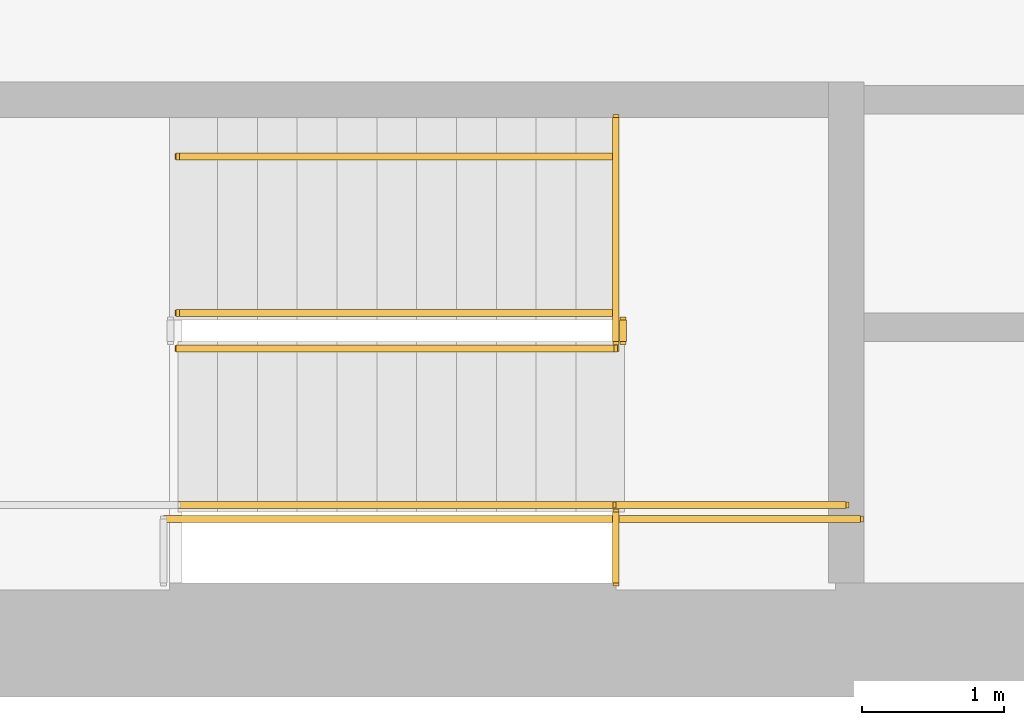
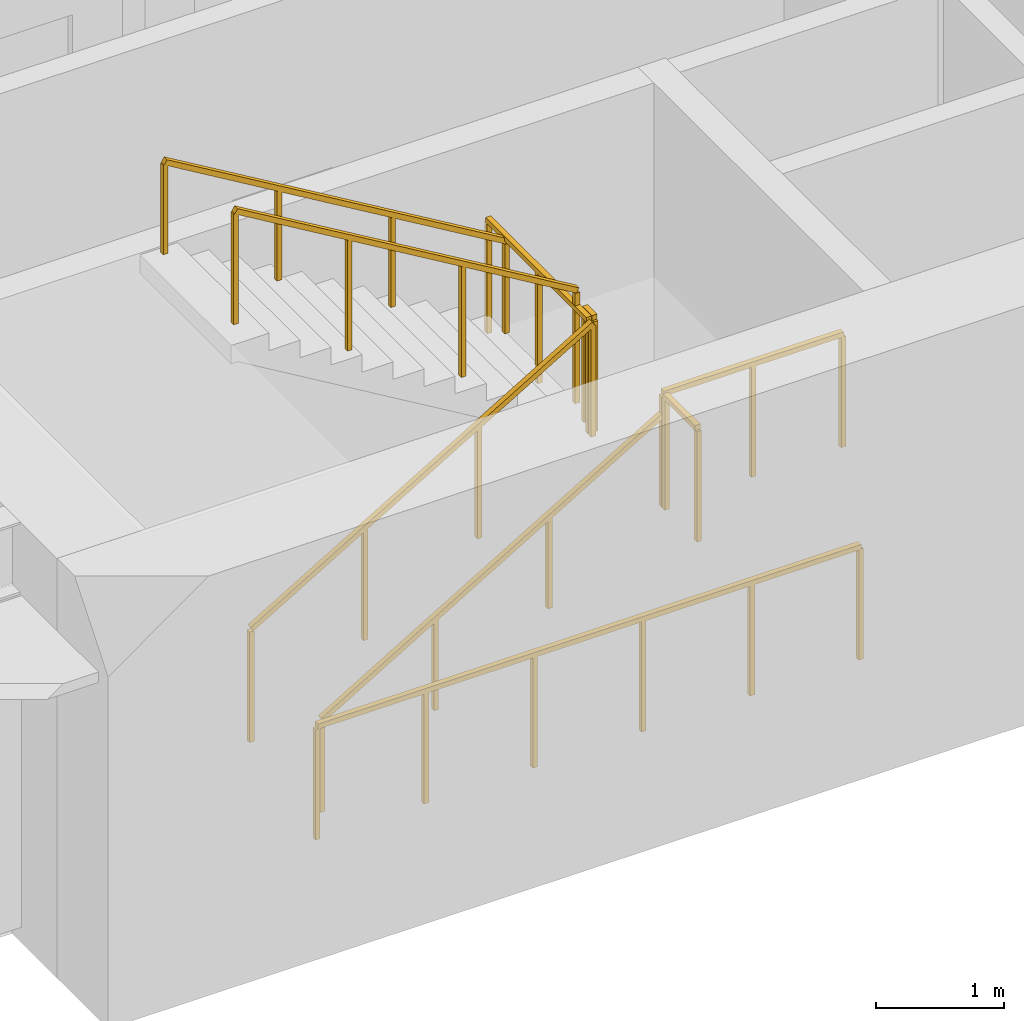
# One storey, part 10 of 12: 9 railings.
"""IFC4 building model written with IfcOpenShell, lengths in metres."""

from ifc_helpers import new_model, si_unit, direction, frame, origin, origin_2d, place, context, subcontext, project, spatial, rectangle, extrude, material, type_object, element, save


model = new_model("IFC4")

# Units and contexts
model_context = context("Model", 3, precision=1e-05, world=origin(), true_north=direction((0.0, 1.0)))
body_context = subcontext(model_context, "Body", "Model", "MODEL_VIEW")
ifc_project = project(units=[si_unit("LENGTHUNIT", "METRE"), si_unit("AREAUNIT", "SQUARE_METRE"), si_unit("VOLUMEUNIT", "CUBIC_METRE"), si_unit("PLANEANGLEUNIT", "RADIAN"), si_unit("MASSUNIT", "GRAM", prefix="KILO")], contexts=[model_context])

# Site, building, storey
site_placement = place(None, origin())
site = spatial("IfcSite", under=ifc_project, at=site_placement, CompositionType="ELEMENT")
building_placement = place(site_placement, origin())
building = spatial("IfcBuilding", under=site, at=building_placement, Name="Sennacour Bend Tower", CompositionType="ELEMENT")
storey_placement = place(building_placement, frame((0.0, 0.0, 281.0)))
storey = spatial("IfcBuildingStorey", under=building, at=storey_placement, Name="L65", CompositionType="ELEMENT", Elevation=281.0)

# Railings
ifc_material = material(Name="Stainless steel", Category="steel")
railing_type_1 = type_object("IfcRailingType", Name="RL-GUARD-1100", PredefinedType="GUARDRAIL", material=ifc_material)
railing_1_placement = place(storey_placement, frame((56.699951171875, 2.449951171875, 0.166748046875)))
element("IfcRailing", 1, at=railing_1_placement, inside=storey, type_object=railing_type_1, Name="L65 SA1 stair guard 1", PredefinedType="GUARDRAIL", context=body_context, shape_type="SweptSolid", body=[
    extrude(rectangle(XDim=0.048095703125, YDim=0.048095703125, at=origin_2d()), frame((0.0, 0.0, 1.076171875), z_axis=(0.859308565015, 0.0, 0.511457515432), x_axis=(0.0, 1.0, 0.0)), (0.0, 0.0, 1.0), 3.58447265625),
    extrude(rectangle(XDim=0.0419921875, YDim=0.0419921875, at=origin_2d()), origin(), (0.0, 0.0, 1.0), 1.052001953125),
    extrude(rectangle(XDim=0.0419921875, YDim=0.0419921875, at=origin_2d()), frame((1.026611328125, 0.0, 0.611083984375)), (0.0, 0.0, 1.0), 1.052001953125),
    extrude(rectangle(XDim=0.0419921875, YDim=0.0419921875, at=origin_2d()), frame((2.053466796875, 0.0, 1.22216796875)), (0.0, 0.0, 1.0), 1.052001953125),
    extrude(rectangle(XDim=0.0419921875, YDim=0.0419921875, at=origin_2d()), frame((3.080078125, 0.0, 1.833251953125)), (0.0, 0.0, 1.0), 1.052001953125),
])
railing_2_placement = place(storey_placement, frame((59.830078125, 2.5, 2.0)))
element("IfcRailing", 2, at=railing_2_placement, inside=storey, type_object=railing_type_1, Name="L65 SA1 stair guard 2", PredefinedType="GUARDRAIL", context=body_context, shape_type="SweptSolid", body=[
    extrude(rectangle(XDim=0.048095703125, YDim=0.048095703125, at=origin_2d()), frame((0.0, 0.0, 1.076171875), z_axis=(0.0, 1.0, 0.0), x_axis=(-1.0, 0.0, 0.0)), (0.0, 0.0, 1.0), 0.14990234375),
    extrude(rectangle(XDim=0.0419921875, YDim=0.0419921875, at=origin_2d()), origin(), (0.0, 0.0, 1.0), 1.052001953125),
    extrude(rectangle(XDim=0.0419921875, YDim=0.0419921875, at=origin_2d()), frame((0.0, 0.14990234375, 0.0)), (0.0, 0.0, 1.0), 1.052001953125),
])
railing_3_placement = place(storey_placement, frame((59.780029296875, 1.35009765625, 2.0)))
element("IfcRailing", 3, at=railing_3_placement, inside=storey, type_object=railing_type_1, Name="L65 SA1 stair guard 3", PredefinedType="GUARDRAIL", context=body_context, shape_type="SweptSolid", body=[
    extrude(rectangle(XDim=0.048095703125, YDim=0.048095703125, at=origin_2d()), frame((0.0, 0.0, 1.076171875), z_axis=(1.0, 0.0, 0.0), x_axis=(0.0, 1.0, 0.0)), (0.0, 0.0, 1.0), 1.619873046875),
    extrude(rectangle(XDim=0.0419921875, YDim=0.0419921875, at=origin_2d()), origin(), (0.0, 0.0, 1.0), 1.052001953125),
    extrude(rectangle(XDim=0.0419921875, YDim=0.0419921875, at=origin_2d()), frame((0.81005859375, 0.0, 0.0)), (0.0, 0.0, 1.0), 1.052001953125),
    extrude(rectangle(XDim=0.0419921875, YDim=0.0419921875, at=origin_2d()), frame((1.619873046875, 0.0, 0.0)), (0.0, 0.0, 1.0), 1.052001953125),
])
railing_4_placement = place(storey_placement, frame((59.780029296875, 2.699951171875, 2.166748046875)))
element("IfcRailing", 4, at=railing_4_placement, inside=storey, type_object=railing_type_1, Name="L65 SA1 stair guard 4", PredefinedType="GUARDRAIL", context=body_context, shape_type="SweptSolid", body=[
    extrude(rectangle(XDim=0.048095703125, YDim=0.048095703125, at=origin_2d()), frame((0.0, 0.0, 1.076171875), z_axis=(-0.859308565015, 0.0, 0.511457515432), x_axis=(0.0, -1.0, 0.0)), (0.0, 0.0, 1.0), 3.58447265625),
    extrude(rectangle(XDim=0.0419921875, YDim=0.0419921875, at=origin_2d()), origin(), (0.0, 0.0, 1.0), 1.052001953125),
    extrude(rectangle(XDim=0.0419921875, YDim=0.0419921875, at=origin_2d()), frame((-1.026611328125, 0.0, 0.611083984375)), (0.0, 0.0, 1.0), 1.052001953125),
    extrude(rectangle(XDim=0.0419921875, YDim=0.0419921875, at=origin_2d()), frame((-2.053466796875, 0.0, 1.22216796875)), (0.0, 0.0, 1.0), 1.052001953125),
    extrude(rectangle(XDim=0.0419921875, YDim=0.0419921875, at=origin_2d()), frame((-3.080078125, 0.0, 1.833251953125)), (0.0, 0.0, 1.0), 1.052001953125),
])
railing_5_placement = place(storey_placement, frame((56.60009765625, 1.25, 0.0)))
element("IfcRailing", 5, at=railing_5_placement, inside=storey, type_object=railing_type_1, Name="L65 SA1 stair guard 8", PredefinedType="GUARDRAIL", context=body_context, shape_type="SweptSolid", body=[
    extrude(rectangle(XDim=0.048095703125, YDim=0.048095703125, at=origin_2d()), frame((0.0, 0.0, 1.076171875), z_axis=(1.0, 0.0, 0.0), x_axis=(0.0, 1.0, 0.0)), (0.0, 0.0, 1.0), 4.89990234375),
    extrude(rectangle(XDim=0.0419921875, YDim=0.0419921875, at=origin_2d()), origin(), (0.0, 0.0, 1.0), 1.052001953125),
    extrude(rectangle(XDim=0.0419921875, YDim=0.0419921875, at=origin_2d()), frame((0.97998046875, 0.0, 0.0)), (0.0, 0.0, 1.0), 1.052001953125),
    extrude(rectangle(XDim=0.0419921875, YDim=0.0419921875, at=origin_2d()), frame((1.9599609375, 0.0, 0.0)), (0.0, 0.0, 1.0), 1.052001953125),
    extrude(rectangle(XDim=0.0419921875, YDim=0.0419921875, at=origin_2d()), frame((2.93994140625, 0.0, 0.0)), (0.0, 0.0, 1.0), 1.052001953125),
    extrude(rectangle(XDim=0.0419921875, YDim=0.0419921875, at=origin_2d()), frame((3.919921875, 0.0, 0.0)), (0.0, 0.0, 1.0), 1.052001953125),
    extrude(rectangle(XDim=0.0419921875, YDim=0.0419921875, at=origin_2d()), frame((4.89990234375, 0.0, 0.0)), (0.0, 0.0, 1.0), 1.052001953125),
])
railing_6_placement = place(storey_placement, frame((59.780029296875, 0.800048828125, 2.0)))
element("IfcRailing", 6, at=railing_6_placement, inside=storey, type_object=railing_type_1, Name="L65 SA1 landing edge guard 100", PredefinedType="GUARDRAIL", context=body_context, shape_type="SweptSolid", body=[
    extrude(rectangle(XDim=0.048095703125, YDim=0.048095703125, at=origin_2d()), frame((0.0, 0.0, 1.076171875), z_axis=(0.0, 1.0, 0.0), x_axis=(-1.0, 0.0, 0.0)), (0.0, 0.0, 1.0), 0.5),
    extrude(rectangle(XDim=0.0419921875, YDim=0.0419921875, at=origin_2d()), origin(), (0.0, 0.0, 1.0), 1.052001953125),
    extrude(rectangle(XDim=0.0419921875, YDim=0.0419921875, at=origin_2d()), frame((0.0, 0.5, 0.0)), (0.0, 0.0, 1.0), 1.052001953125),
])
railing_7_placement = place(storey_placement, frame((59.780029296875, 2.5, 2.0)))
element("IfcRailing", 7, at=railing_7_placement, inside=storey, type_object=railing_type_1, Name="L65 SA1 landing edge guard 101", PredefinedType="GUARDRAIL", context=body_context, shape_type="SweptSolid", body=[
    extrude(rectangle(XDim=0.048095703125, YDim=0.048095703125, at=origin_2d()), frame((0.0, 0.0, 1.076171875), z_axis=(0.0, 1.0, 0.0), x_axis=(-1.0, 0.0, 0.0)), (0.0, 0.0, 1.0), 1.574951171875),
    extrude(rectangle(XDim=0.0419921875, YDim=0.0419921875, at=origin_2d()), origin(), (0.0, 0.0, 1.0), 1.052001953125),
    extrude(rectangle(XDim=0.0419921875, YDim=0.0419921875, at=origin_2d()), frame((0.0, 0.78759765625, 0.0)), (0.0, 0.0, 1.0), 1.052001953125),
    extrude(rectangle(XDim=0.0419921875, YDim=0.0419921875, at=origin_2d()), frame((0.0, 1.574951171875, 0.0)), (0.0, 0.0, 1.0), 1.052001953125),
])
railing_type_2 = type_object("IfcRailingType", Name="RL-HANDRAIL-900", PredefinedType="HANDRAIL", material=ifc_material)
railing_8_placement = place(storey_placement, frame((56.699951171875, 1.35009765625, 0.166748046875)))
element("IfcRailing", 8, at=railing_8_placement, inside=storey, type_object=railing_type_2, Name="L65 SA1 stair handrail 1", PredefinedType="HANDRAIL", context=body_context, shape_type="SweptSolid", body=[
    extrude(rectangle(XDim=0.048095703125, YDim=0.048095703125, at=origin_2d()), frame((0.0, 0.0, 0.8759765625), z_axis=(0.859308565015, 0.0, 0.511457515432), x_axis=(0.0, 1.0, 0.0)), (0.0, 0.0, 1.0), 3.58447265625),
    extrude(rectangle(XDim=0.0419921875, YDim=0.0419921875, at=origin_2d()), origin(), (0.0, 0.0, 1.0), 0.851806640625),
    extrude(rectangle(XDim=0.0419921875, YDim=0.0419921875, at=origin_2d()), frame((1.026611328125, 0.0, 0.611083984375)), (0.0, 0.0, 1.0), 0.851806640625),
    extrude(rectangle(XDim=0.0419921875, YDim=0.0419921875, at=origin_2d()), frame((2.053466796875, 0.0, 1.22216796875)), (0.0, 0.0, 1.0), 0.851806640625),
    extrude(rectangle(XDim=0.0419921875, YDim=0.0419921875, at=origin_2d()), frame((3.080078125, 0.0, 1.833251953125)), (0.0, 0.0, 1.0), 0.851806640625),
])
railing_9_placement = place(storey_placement, frame((59.780029296875, 3.800048828125, 2.166748046875)))
element("IfcRailing", 9, at=railing_9_placement, inside=storey, type_object=railing_type_2, Name="L65 SA1 stair handrail 2", PredefinedType="HANDRAIL", context=body_context, shape_type="SweptSolid", body=[
    extrude(rectangle(XDim=0.048095703125, YDim=0.048095703125, at=origin_2d()), frame((0.0, 0.0, 0.8759765625), z_axis=(-0.859308565015, 0.0, 0.511457515432), x_axis=(0.0, -1.0, 0.0)), (0.0, 0.0, 1.0), 3.58447265625),
    extrude(rectangle(XDim=0.0419921875, YDim=0.0419921875, at=origin_2d()), origin(), (0.0, 0.0, 1.0), 0.851806640625),
    extrude(rectangle(XDim=0.0419921875, YDim=0.0419921875, at=origin_2d()), frame((-1.026611328125, 0.0, 0.611083984375)), (0.0, 0.0, 1.0), 0.851806640625),
    extrude(rectangle(XDim=0.0419921875, YDim=0.0419921875, at=origin_2d()), frame((-2.053466796875, 0.0, 1.22216796875)), (0.0, 0.0, 1.0), 0.851806640625),
    extrude(rectangle(XDim=0.0419921875, YDim=0.0419921875, at=origin_2d()), frame((-3.080078125, 0.0, 1.833251953125)), (0.0, 0.0, 1.0), 0.851806640625),
])

save(model, "model.ifc")
